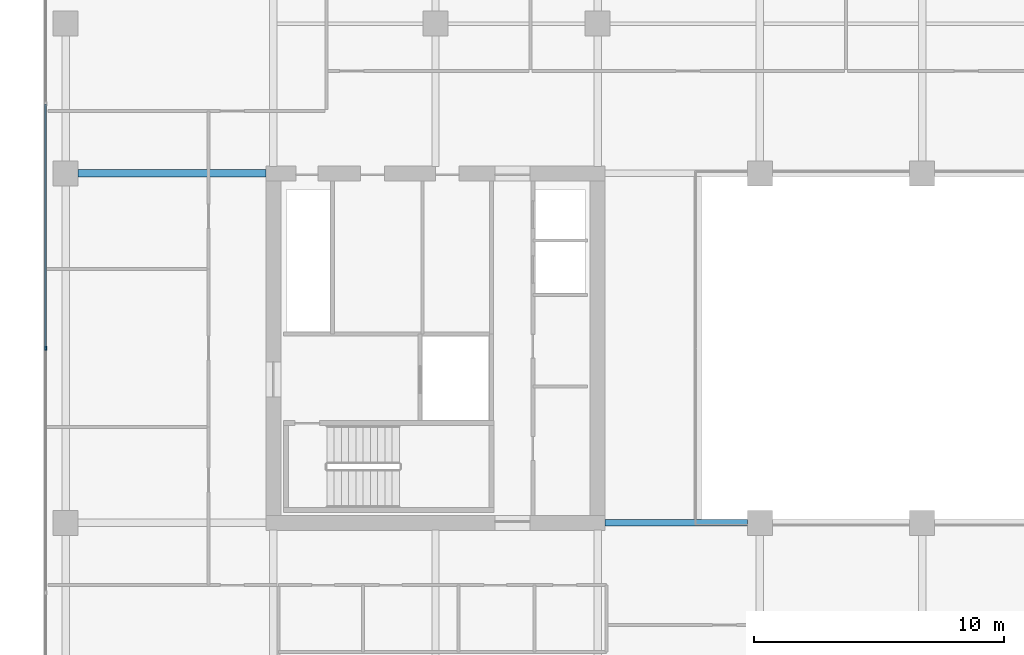
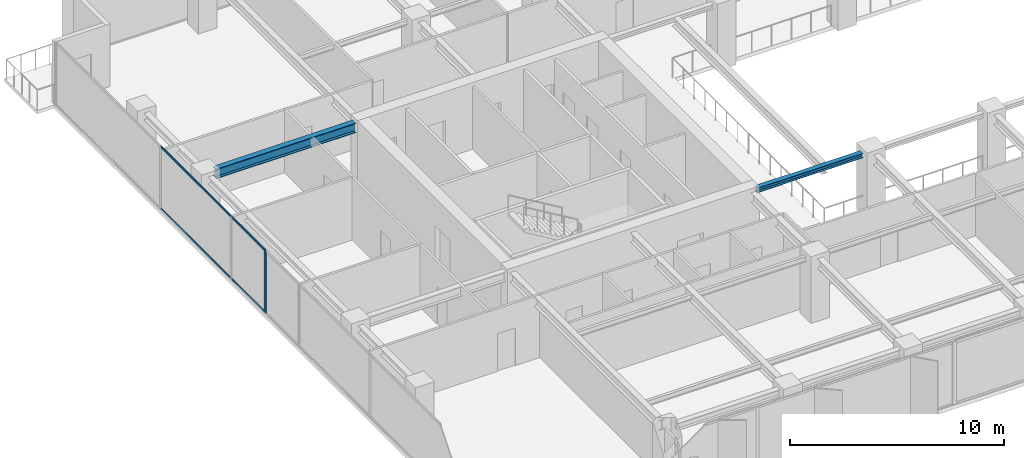
# One storey, part 4 of 22: 3 members, 2 beams, 1 element without a shape of its own.
"""IFC4 building model written with IfcOpenShell, lengths in metres."""

from ifc_helpers import new_model, si_unit, direction, frame, origin, origin_2d, place, context, subcontext, project, spatial, rectangle, i_section, extrude, material, layer, layer_set, material_profile, profile_set, type_object, element, aggregate, save


model = new_model("IFC4")

# Units and contexts
model_context = context("Model", 3, precision=1e-05, world=origin(), true_north=direction((0.0, 1.0)))
body_context = subcontext(model_context, "Body", "Model", "MODEL_VIEW")
ifc_project = project(units=[si_unit("LENGTHUNIT", "METRE"), si_unit("AREAUNIT", "SQUARE_METRE"), si_unit("VOLUMEUNIT", "CUBIC_METRE"), si_unit("PLANEANGLEUNIT", "RADIAN"), si_unit("MASSUNIT", "GRAM", prefix="KILO")], contexts=[model_context])

# Site, building, storey
site_placement = place(None, origin())
site = spatial("IfcSite", under=ifc_project, at=site_placement, CompositionType="ELEMENT")
building_placement = place(site_placement, origin())
building = spatial("IfcBuilding", under=site, at=building_placement, Name="Putna Gate Headquarters", CompositionType="ELEMENT")
storey_placement = place(building_placement, frame((0.0, 0.0, 151.800048828125)))
storey = spatial("IfcBuildingStorey", under=building, at=storey_placement, Name="L37", CompositionType="ELEMENT", Elevation=151.800048828125)

# Beams
ifc_material_1 = material(Name="Steel S355J2", Category="steel")
ifc_material_profile_1 = material_profile(ifc_material_1, i_section(OverallWidth=0.260009765625, OverallDepth=0.260009765625, WebThickness=0.010009765625, FlangeThickness=0.017578125, at=origin_2d()), Name="Steel S355J2")
ifc_profile_set_1 = profile_set([ifc_material_profile_1], Name="Steel S355J2")
beam_type_1 = type_object("IfcBeamType", Name="BM-ATRIUM-HEB260", PredefinedType="BEAM", material=ifc_profile_set_1)
beam_1_placement = place(storey_placement, frame((26.284912109375, 19.0, 3.44189453125), z_axis=(1.0, 0.0, 0.0), x_axis=(0.0, 1.0, 0.0)))
element("IfcBeam", 1, at=beam_1_placement, inside=storey, type_object=beam_type_1, Name="L37 Atrium Edge Beam AS1", PredefinedType="BEAM", context=body_context, shape_type="SweptSolid", body=[
    extrude(i_section(OverallWidth=0.260009765625, OverallDepth=0.260009765625, WebThickness=0.010009765625, FlangeThickness=0.017578125, at=origin_2d()), origin(), (0.0, 0.0, 1.0), 5.72705078125),
])
ifc_material_profile_2 = material_profile(ifc_material_1, i_section(OverallWidth=0.300048828125, OverallDepth=0.550048828125, WebThickness=0.014892578125, FlangeThickness=0.029052734375, at=origin_2d()), Name="Steel S355J2")
ifc_profile_set_2 = profile_set([ifc_material_profile_2], Name="Steel S355J2")
beam_type_2 = type_object("IfcBeamType", Name="BM-GIRD-Z3-HEB550", PredefinedType="USERDEFINED", material=ifc_profile_set_2)
beam_2_placement = place(storey_placement, frame((5.16796875, 33.0, 3.296875), z_axis=(1.0, 0.0, 0.0), x_axis=(0.0, 1.0, 0.0)))
element("IfcBeam", 2, at=beam_2_placement, inside=storey, type_object=beam_type_2, Name="L37 West Wing Girder Y33", ObjectType="GIRDER", PredefinedType="USERDEFINED", context=body_context, shape_type="SweptSolid", body=[
    extrude(i_section(OverallWidth=0.300048828125, OverallDepth=0.550048828125, WebThickness=0.014892578125, FlangeThickness=0.029052734375, at=origin_2d()), origin(), (0.0, 0.0, 1.0), 7.547119140625),
])

# Curtain wall, members
ifc_material_2 = material(Name="Anodised bronze aluminium curtain wall", Category="aluminium")
ifc_layer = layer(ifc_material_2, 0.159912109375)
ifc_layer_set = layer_set([ifc_layer], Name="Anodised bronze aluminium curtain wall")
curtain_wall_type = type_object("IfcCurtainWallType", Name="CW-SYS-Z3", PredefinedType="USERDEFINED", material=ifc_layer_set)
curtain_wall_placement = place(storey_placement, origin())
curtain_wall = element("IfcCurtainWall", 3, at=curtain_wall_placement, inside=storey, type_object=curtain_wall_type, Name="L37 West Curtain Wall", ObjectType="STICK CURTAIN WALL", PredefinedType="USERDEFINED")
ifc_material_3 = material(Name="Anodised bronze aluminium EN AW-6060", Category="aluminium")
ifc_material_profile_3 = material_profile(ifc_material_3, rectangle(XDim=0.06494140625, YDim=0.159912109375, at=origin_2d()), Name="Anodised bronze aluminium EN AW-6060")
ifc_profile_set_3 = profile_set([ifc_material_profile_3], Name="Anodised bronze aluminium EN AW-6060")
member_type_1 = type_object("IfcMemberType", Name="MULL-CWM-3", PredefinedType="MULLION", material=ifc_profile_set_3)
member_1_placement = place(storey_placement, frame((3.8798828125, 26.0, 0.0), z_axis=(0.0, 0.0, 1.0), x_axis=(-1.0, 0.0, 0.0)))
member_1 = element("IfcMember", 4, at=member_1_placement, type_object=member_type_1, Name="CWS-3 mullion 3", PredefinedType="MULLION", context=body_context, shape_type="SweptSolid", body=[
    extrude(rectangle(XDim=0.06494140625, YDim=0.159912109375, at=origin_2d()), origin(), (0.0, 0.0, 1.0), 3.572021484375),
])
ifc_material_profile_4 = material_profile(ifc_material_3, rectangle(XDim=0.06005859375, YDim=0.10009765625, at=origin_2d()), Name="Anodised bronze aluminium EN AW-6060")
ifc_profile_set_4 = profile_set([ifc_material_profile_4], Name="Anodised bronze aluminium EN AW-6060")
member_type_2 = type_object("IfcMemberType", Name="TRAN-CWT-3", PredefinedType="USERDEFINED", material=ifc_profile_set_4)
member_2_placement = place(storey_placement, frame((3.8798828125, 26.032470703125, 0.030029296875), z_axis=(0.0, 1.0, 0.0), x_axis=(-1.0, 0.0, 0.0)))
member_2 = element("IfcMember", 5, at=member_2_placement, type_object=member_type_2, Name="CWS-3 transom 3.1", ObjectType="TRANSOM", PredefinedType="USERDEFINED", context=body_context, shape_type="SweptSolid", body=[
    extrude(rectangle(XDim=0.06005859375, YDim=0.10009765625, at=origin_2d()), origin(), (0.0, 0.0, 1.0), 9.735107421875),
])
member_3_placement = place(storey_placement, frame((3.8798828125, 26.032470703125, 3.5419921875), z_axis=(0.0, 1.0, 0.0), x_axis=(-1.0, 0.0, 0.0)))
member_3 = element("IfcMember", 6, at=member_3_placement, type_object=member_type_2, Name="CWS-3 transom 3.2", ObjectType="TRANSOM", PredefinedType="USERDEFINED", context=body_context, shape_type="SweptSolid", body=[
    extrude(rectangle(XDim=0.06005859375, YDim=0.10009765625, at=origin_2d()), origin(), (0.0, 0.0, 1.0), 9.735107421875),
])
aggregate(curtain_wall, [member_1, member_2, member_3])

save(model, "model.ifc")
